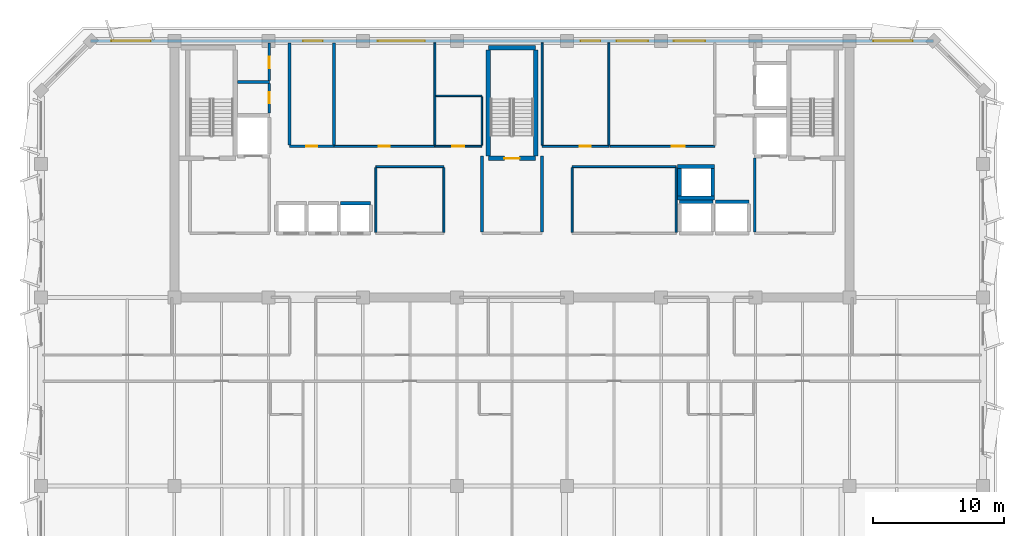
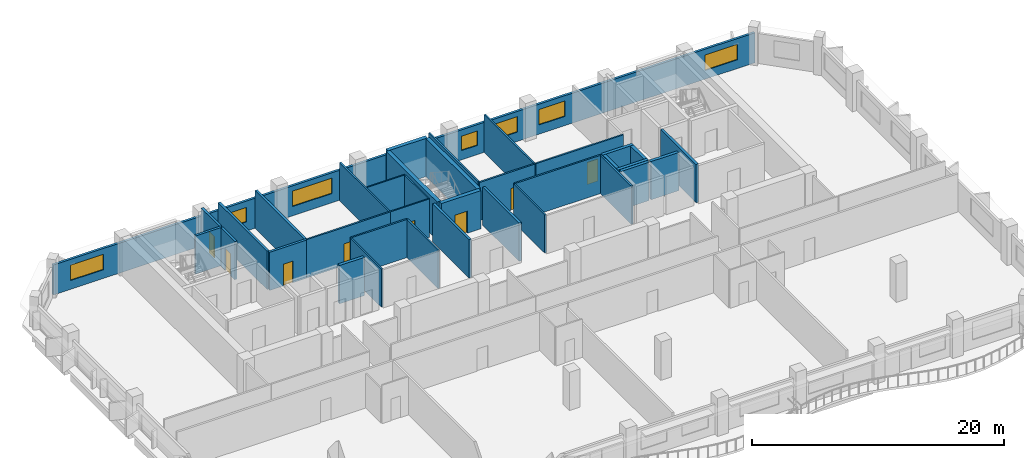
# One storey, part 6 of 11: 36 walls, 8 doors, 7 windows, 15 openings.
"""IFC4 building model written with IfcOpenShell, lengths in metres."""

from ifc_helpers import new_model, si_unit, direction, frame, frame_2d, origin, place, context, subcontext, project, spatial, rectangle, extrude, material, layer, layer_set, type_object, element, fill, save


model = new_model("IFC4")

# Units and contexts
model_context = context("Model", 3, precision=1e-05, world=origin(), true_north=direction((0.0, 1.0)))
body_context = subcontext(model_context, "Body", "Model", "MODEL_VIEW")
ifc_project = project(units=[si_unit("LENGTHUNIT", "METRE"), si_unit("AREAUNIT", "SQUARE_METRE"), si_unit("VOLUMEUNIT", "CUBIC_METRE"), si_unit("PLANEANGLEUNIT", "RADIAN"), si_unit("MASSUNIT", "GRAM", prefix="KILO")], contexts=[model_context])

# Site, building, storey
site_placement = place(None, origin())
site = spatial("IfcSite", under=ifc_project, at=site_placement, CompositionType="ELEMENT")
building_placement = place(site_placement, origin())
building = spatial("IfcBuilding", under=site, at=building_placement, Name="Kaelvorn Grand Hotel", CompositionType="ELEMENT")
storey_placement = place(building_placement, frame((0.0, 0.0, 268.64990234375)))
storey = spatial("IfcBuildingStorey", under=building, at=storey_placement, Name="L66", CompositionType="ELEMENT", Elevation=268.64990234375)

# Wall, openings, windows
ifc_material_1 = material(Name="Concrete C40/50", Category="concrete")
ifc_layer_1 = layer(ifc_material_1, 0.219970703125)
ifc_layer_set_1 = layer_set([ifc_layer_1], Name="Concrete C40/50")
wall_type_1 = type_object("IfcWallType", Name="WL-EXT-220-C40", PredefinedType="SOLIDWALL", material=ifc_layer_set_1)
wall_1_placement = place(storey_placement, frame((74.199951171875, 49.0, 0.0), z_axis=(0.0, 0.0, 1.0), x_axis=(-1.0, 0.0, 0.0)))
wall_1 = element("IfcWall", 1, at=wall_1_placement, inside=storey, type_object=wall_type_1, Name="L66 Exterior Architectural Concrete Wall 05", PredefinedType="SOLIDWALL", context=body_context, shape_type="SweptSolid", body=[
    extrude(rectangle(XDim=64.39990234375, YDim=0.219970703125, at=frame_2d((32.199951171875, 0.0))), origin(), (0.0, 0.0, 1.0), 2.91015625),
])
opening_1_placement = place(wall_1_placement, frame((59.81494140625, 0.0, 0.85009765625)))
opening_1 = element("IfcOpeningElement", 2, at=opening_1_placement, cuts=wall_1, Name="Opening W5", PredefinedType="OPENING", context=body_context, shape_type="SweptSolid", body=[
    extrude(rectangle(XDim=3.0, YDim=1.5, at=frame_2d((1.5, 0.75))), frame((0.0, 0.1201171875, 0.0), z_axis=(0.0, -1.0, 0.0), x_axis=(1.0, 0.0, 0.0)), (0.0, 0.0, 1.0), 0.239990234375),
])
opening_2_placement = place(wall_1_placement, frame((1.5849609375, 0.0, 0.85009765625)))
opening_2 = element("IfcOpeningElement", 3, at=opening_2_placement, cuts=wall_1, Name="Opening W5", PredefinedType="OPENING", context=body_context, shape_type="SweptSolid", body=[
    extrude(rectangle(XDim=3.0, YDim=1.5, at=frame_2d((1.5, 0.75))), frame((0.0, 0.1201171875, 0.0), z_axis=(0.0, -1.0, 0.0), x_axis=(1.0, 0.0, 0.0)), (0.0, 0.0, 1.0), 0.239990234375),
])
opening_3_placement = place(wall_1_placement, frame((46.6650390625, 0.0, 0.89990234375)))
opening_3 = element("IfcOpeningElement", 4, at=opening_3_placement, cuts=wall_1, Name="Opening W10", PredefinedType="OPENING", context=body_context, shape_type="SweptSolid", body=[
    extrude(rectangle(XDim=1.5, YDim=1.39990234375, at=frame_2d((0.75, 0.699951171875))), frame((0.0, 0.1201171875, 0.0), z_axis=(0.0, -1.0, 0.0), x_axis=(1.0, 0.0, 0.0)), (0.0, 0.0, 1.0), 0.239990234375),
])
opening_4_placement = place(wall_1_placement, frame((38.85009765625, 0.0, 0.89990234375)))
opening_4 = element("IfcOpeningElement", 5, at=opening_4_placement, cuts=wall_1, Name="Opening W3", PredefinedType="OPENING", context=body_context, shape_type="SweptSolid", body=[
    extrude(rectangle(XDim=3.60009765625, YDim=1.5, at=frame_2d((1.800048828125, 0.75))), frame((0.0, 0.1201171875, 0.0), z_axis=(0.0, -1.0, 0.0), x_axis=(1.0, 0.0, 0.0)), (0.0, 0.0, 1.0), 0.239990234375),
])
opening_5_placement = place(wall_1_placement, frame((25.449951171875, 0.0, 0.89990234375)))
opening_5 = element("IfcOpeningElement", 6, at=opening_5_placement, cuts=wall_1, Name="Opening W10", PredefinedType="OPENING", context=body_context, shape_type="SweptSolid", body=[
    extrude(rectangle(XDim=1.5, YDim=1.39990234375, at=frame_2d((0.75, 0.699951171875))), frame((0.0, 0.1201171875, 0.0), z_axis=(0.0, -1.0, 0.0), x_axis=(1.0, 0.0, 0.0)), (0.0, 0.0, 1.0), 0.239990234375),
])
opening_6_placement = place(wall_1_placement, frame((21.800048828125, 0.0, 0.89990234375)))
opening_6 = element("IfcOpeningElement", 7, at=opening_6_placement, cuts=wall_1, Name="Opening W6", PredefinedType="OPENING", context=body_context, shape_type="SweptSolid", body=[
    extrude(rectangle(XDim=2.39990234375, YDim=1.5, at=frame_2d((1.199951171875, 0.75))), frame((0.0, 0.1201171875, 0.0), z_axis=(0.0, -1.0, 0.0), x_axis=(1.0, 0.0, 0.0)), (0.0, 0.0, 1.0), 0.239990234375),
])
opening_7_placement = place(wall_1_placement, frame((17.43505859375, 0.0, 0.89990234375)))
opening_7 = element("IfcOpeningElement", 8, at=opening_7_placement, cuts=wall_1, Name="Opening W6", PredefinedType="OPENING", context=body_context, shape_type="SweptSolid", body=[
    extrude(rectangle(XDim=2.39990234375, YDim=1.5, at=frame_2d((1.199951171875, 0.75))), frame((0.0, 0.1201171875, 0.0), z_axis=(0.0, -1.0, 0.0), x_axis=(1.0, 0.0, 0.0)), (0.0, 0.0, 1.0), 0.239990234375),
])
ifc_material_2 = material(Name="Laminated Low-E Glass", Category="glass")
window_type_1 = type_object("IfcWindowType", Name="WIN-COR-1500x1400", PartitioningType="SINGLE_PANEL", PredefinedType="WINDOW", material=ifc_material_2)
window_1_placement = place(opening_3_placement, origin())
window_1 = element("IfcWindow", 9, at=window_1_placement, inside=storey, type_object=window_type_1, Name="L66 North Core Clerestory Ribbon Window NC03", OverallHeight=1.39990234375, OverallWidth=1.5, PartitioningType="SINGLE_PANEL", PredefinedType="WINDOW", context=body_context, shape_type="SweptSolid", body=[
    extrude(rectangle(XDim=1.5, YDim=1.39990234375, at=frame_2d((0.75, 0.699951171875))), frame((0.0, 0.030029296875, 0.0), z_axis=(0.0, -1.0, 0.0), x_axis=(1.0, 0.0, 0.0)), (0.0, 0.0, 1.0), 0.06005859375),
])
fill(opening_3, window_1)
window_2_placement = place(opening_5_placement, origin())
window_2 = element("IfcWindow", 10, at=window_2_placement, inside=storey, type_object=window_type_1, Name="L66 North Core Clerestory Ribbon Window NC05", OverallHeight=1.39990234375, OverallWidth=1.5, PartitioningType="SINGLE_PANEL", PredefinedType="WINDOW", context=body_context, shape_type="SweptSolid", body=[
    extrude(rectangle(XDim=1.5, YDim=1.39990234375, at=frame_2d((0.75, 0.699951171875))), frame((0.0, 0.030029296875, 0.0), z_axis=(0.0, -1.0, 0.0), x_axis=(1.0, 0.0, 0.0)), (0.0, 0.0, 1.0), 0.06005859375),
])
fill(opening_5, window_2)
window_type_2 = type_object("IfcWindowType", Name="WIN-NTH-2400x1500", PartitioningType="SINGLE_PANEL", PredefinedType="WINDOW", material=ifc_material_2)
window_3_placement = place(opening_6_placement, origin())
window_3 = element("IfcWindow", 11, at=window_3_placement, inside=storey, type_object=window_type_2, Name="L66 North Core Clerestory Ribbon Window NC06", OverallHeight=1.5, OverallWidth=2.39990234375, PartitioningType="SINGLE_PANEL", PredefinedType="WINDOW", context=body_context, shape_type="SweptSolid", body=[
    extrude(rectangle(XDim=2.39990234375, YDim=1.5, at=frame_2d((1.199951171875, 0.75))), frame((0.0, 0.030029296875, 0.0), z_axis=(0.0, -1.0, 0.0), x_axis=(1.0, 0.0, 0.0)), (0.0, 0.0, 1.0), 0.06005859375),
])
fill(opening_6, window_3)
window_4_placement = place(opening_7_placement, origin())
window_4 = element("IfcWindow", 12, at=window_4_placement, inside=storey, type_object=window_type_2, Name="L66 North Core Clerestory Ribbon Window NC07", OverallHeight=1.5, OverallWidth=2.39990234375, PartitioningType="SINGLE_PANEL", PredefinedType="WINDOW", context=body_context, shape_type="SweptSolid", body=[
    extrude(rectangle(XDim=2.39990234375, YDim=1.5, at=frame_2d((1.199951171875, 0.75))), frame((0.0, 0.030029296875, 0.0), z_axis=(0.0, -1.0, 0.0), x_axis=(1.0, 0.0, 0.0)), (0.0, 0.0, 1.0), 0.06005859375),
])
fill(opening_7, window_4)
window_type_3 = type_object("IfcWindowType", Name="WIN-NTH-3000x1500", PartitioningType="SINGLE_PANEL", PredefinedType="WINDOW", material=ifc_material_2)
window_5_placement = place(opening_1_placement, origin())
window_5 = element("IfcWindow", 13, at=window_5_placement, inside=storey, type_object=window_type_3, Name="L66 North Wing Ribbon Window NW01", OverallHeight=1.5, OverallWidth=3.0, PartitioningType="SINGLE_PANEL", PredefinedType="WINDOW", context=body_context, shape_type="SweptSolid", body=[
    extrude(rectangle(XDim=3.0, YDim=1.5, at=frame_2d((1.5, 0.75))), frame((0.0, 0.030029296875, 0.0), z_axis=(0.0, -1.0, 0.0), x_axis=(1.0, 0.0, 0.0)), (0.0, 0.0, 1.0), 0.06005859375),
])
fill(opening_1, window_5)
window_6_placement = place(opening_2_placement, origin())
window_6 = element("IfcWindow", 14, at=window_6_placement, inside=storey, type_object=window_type_3, Name="L66 North Wing Ribbon Window NW02", OverallHeight=1.5, OverallWidth=3.0, PartitioningType="SINGLE_PANEL", PredefinedType="WINDOW", context=body_context, shape_type="SweptSolid", body=[
    extrude(rectangle(XDim=3.0, YDim=1.5, at=frame_2d((1.5, 0.75))), frame((0.0, 0.030029296875, 0.0), z_axis=(0.0, -1.0, 0.0), x_axis=(1.0, 0.0, 0.0)), (0.0, 0.0, 1.0), 0.06005859375),
])
fill(opening_2, window_6)
window_type_4 = type_object("IfcWindowType", Name="WIN-RIB-3600x1750", PartitioningType="SINGLE_PANEL", PredefinedType="WINDOW", material=ifc_material_2)
window_7_placement = place(opening_4_placement, origin())
window_7 = element("IfcWindow", 15, at=window_7_placement, inside=storey, type_object=window_type_4, Name="L66 North Core Clerestory Ribbon Window NC04", OverallHeight=1.5, OverallWidth=3.60009765625, PartitioningType="SINGLE_PANEL", PredefinedType="WINDOW", context=body_context, shape_type="SweptSolid", body=[
    extrude(rectangle(XDim=3.60009765625, YDim=1.5, at=frame_2d((1.800048828125, 0.75))), frame((0.0, 0.030029296875, 0.0), z_axis=(0.0, -1.0, 0.0), x_axis=(1.0, 0.0, 0.0)), (0.0, 0.0, 1.0), 0.06005859375),
])
fill(opening_4, window_7)

# Wall, opening, door
ifc_material_3 = material(Name="Moisture-Resistant Tile & Stud Board")
ifc_layer_2 = layer(ifc_material_3, 0.125)
ifc_layer_set_2 = layer_set([ifc_layer_2], Name="Moisture-Resistant Tile & Stud Board")
wall_type_2 = type_object("IfcWallType", Name="WL-PART-125-WET", PredefinedType="PARTITIONING", material=ifc_layer_set_2)
wall_2_placement = place(storey_placement, frame((36.110107421875, 40.949951171875, 0.0), z_axis=(0.0, 0.0, 1.0), x_axis=(1.0, 0.0, 0.0)))
wall_2 = element("IfcWall", 16, at=wall_2_placement, inside=storey, type_object=wall_type_2, Name="L66 Accessible WC S Partition", PredefinedType="PARTITIONING", context=body_context, shape_type="SweptSolid", body=[
    extrude(rectangle(XDim=3.58984375, YDim=0.125, at=frame_2d((1.794921875, 0.0))), origin(), (0.0, 0.0, 1.0), 3.710205078125),
])
opening_8_placement = place(wall_2_placement, frame((1.340087890625, 0.0, 0.0)))
opening_8 = element("IfcOpeningElement", 17, at=opening_8_placement, cuts=wall_2, Name="Opening DI4", PredefinedType="OPENING", context=body_context, shape_type="SweptSolid", body=[
    extrude(rectangle(XDim=0.89990234375, YDim=2.10009765625, at=frame_2d((0.449951171875, 1.050048828125))), frame((0.0, 0.072509765625, 0.0), z_axis=(0.0, -1.0, 0.0), x_axis=(1.0, 0.0, 0.0)), (0.0, 0.0, 1.0), 0.14501953125),
])
ifc_material_4 = material(Name="Timber Veneer Leaf", Category="wood")
door_type_1 = type_object("IfcDoorType", Name="DR-INT-BATH-900x2100", OperationType="NOTDEFINED", PredefinedType="DOOR", material=ifc_material_4)
door_1_placement = place(opening_8_placement, origin())
door_1 = element("IfcDoor", 18, at=door_1_placement, inside=storey, type_object=door_type_1, Name="L66 Accessible WC Door", OperationType="SINGLE_SWING_LEFT", OverallHeight=2.10009765625, OverallWidth=0.89990234375, PredefinedType="DOOR", context=body_context, shape_type="SweptSolid", body=[
    extrude(rectangle(XDim=0.89990234375, YDim=2.10009765625, at=frame_2d((0.449951171875, 1.050048828125))), frame((0.0, 0.02490234375, 0.0), z_axis=(0.0, -1.0, 0.0), x_axis=(1.0, 0.0, 0.0)), (0.0, 0.0, 1.0), 0.050048828125),
])
fill(opening_8, door_1)

# Walls
wall_3_placement = place(storey_placement, frame((36.179931640625, 44.800048828125, 0.0), z_axis=(0.0, 0.0, 1.0), x_axis=(1.0, 0.0, 0.0)))
element("IfcWall", 19, at=wall_3_placement, inside=storey, type_object=wall_type_2, Name="L66 Accessible WC N Partition", PredefinedType="PARTITIONING", context=body_context, shape_type="SweptSolid", body=[
    extrude(rectangle(XDim=3.52001953125, YDim=0.125, at=frame_2d((1.760009765625, 0.0))), origin(), (0.0, 0.0, 1.0), 3.710205078125),
])
wall_4_placement = place(storey_placement, frame((39.699951171875, 41.017578125, 0.0), z_axis=(0.0, 0.0, 1.0), x_axis=(0.0, 1.0, 0.0)))
element("IfcWall", 20, at=wall_4_placement, inside=storey, type_object=wall_type_2, Name="L66 Accessible WC E Partition", PredefinedType="PARTITIONING", context=body_context, shape_type="SweptSolid", body=[
    extrude(rectangle(XDim=3.71484375, YDim=0.125, at=frame_2d((1.857421875, 0.0))), origin(), (0.0, 0.0, 1.0), 3.710205078125),
])
ifc_material_5 = material(Name="Acoustic Gypsum & Stud Partition")
ifc_layer_3 = layer(ifc_material_5, 0.14990234375)
ifc_layer_set_3 = layer_set([ifc_layer_3], Name="Acoustic Gypsum & Stud Partition")
wall_type_3 = type_object("IfcWallType", Name="WL-PART-150-EI60", PredefinedType="PARTITIONING", material=ifc_layer_set_3)
wall_5_placement = place(storey_placement, frame((31.60009765625, 39.39990234375, 0.0), z_axis=(0.0, 0.0, 1.0), x_axis=(1.0, 0.0, 0.0)))
element("IfcWall", 21, at=wall_5_placement, inside=storey, type_object=wall_type_3, Name="L66 Core Telecoms & BMS Server Room N Partition", PredefinedType="PARTITIONING", context=body_context, shape_type="SweptSolid", body=[
    extrude(rectangle(XDim=5.199951171875, YDim=0.14990234375, at=frame_2d((2.60009765625, 0.0))), origin(), (0.0, 0.0, 1.0), 3.710205078125),
])
for number, where, z_axis, x_axis, name in (
    (22, (31.60009765625, 34.3798828125, 0.0), (0.0, 0.0, 1.0), (0.0, 1.0, 0.0), "L66 Core Telecoms & BMS Server Room W Partition"),
    (23, (36.800048828125, 34.3798828125, 0.0), (0.0, 0.0, 1.0), (0.0, 1.0, 0.0), "L66 Core Telecoms & BMS Server Room E Partition"),
):
    element("IfcWall", number, at=place(storey_placement, frame(where, z_axis=z_axis, x_axis=x_axis)), inside=storey, type_object=wall_type_3, Name=name, PredefinedType="PARTITIONING", context=body_context, shape_type="SweptSolid", body=[
        extrude(rectangle(XDim=4.940185546875, YDim=0.14990234375, at=frame_2d((2.47021484375, 0.0))), origin(), (0.0, 0.0, 1.0), 3.710205078125),
    ])
wall_6_placement = place(storey_placement, frame((46.60009765625, 39.39990234375, 0.0), z_axis=(0.0, 0.0, 1.0), x_axis=(1.0, 0.0, 0.0)))
element("IfcWall", 24, at=wall_6_placement, inside=storey, type_object=wall_type_3, Name="L66 Sky Concierge & Butler Pantry Lounge N Partition", PredefinedType="PARTITIONING", context=body_context, shape_type="SweptSolid", body=[
    extrude(rectangle(XDim=7.949951171875, YDim=0.14990234375, at=frame_2d((3.97509765625, 0.0))), origin(), (0.0, 0.0, 1.0), 3.710205078125),
])
for number, where, z_axis, x_axis, name in (
    (25, (46.60009765625, 34.3798828125, 0.0), (0.0, 0.0, 1.0), (0.0, 1.0, 0.0), "L66 Sky Concierge & Butler Pantry Lounge W Partition"),
    (26, (54.550048828125, 34.3798828125, 0.0), (0.0, 0.0, 1.0), (0.0, 1.0, 0.0), "L66 Sky Concierge & Butler Pantry Lounge E Partition"),
):
    element("IfcWall", number, at=place(storey_placement, frame(where, z_axis=z_axis, x_axis=x_axis)), inside=storey, type_object=wall_type_3, Name=name, PredefinedType="PARTITIONING", context=body_context, shape_type="SweptSolid", body=[
        extrude(rectangle(XDim=4.940185546875, YDim=0.14990234375, at=frame_2d((2.47021484375, 0.0))), origin(), (0.0, 0.0, 1.0), 3.710205078125),
    ])

# Wall, opening, door
wall_7_placement = place(storey_placement, frame((28.409912109375, 40.949951171875, 0.0), z_axis=(0.0, 0.0, 1.0), x_axis=(1.0, 0.0, 0.0)))
wall_7 = element("IfcWall", 27, at=wall_7_placement, inside=storey, type_object=wall_type_3, Name="L66 Housekeeping & Linen Room S Partition", PredefinedType="PARTITIONING", context=body_context, shape_type="SweptSolid", body=[
    extrude(rectangle(XDim=7.690185546875, YDim=0.14990234375, at=frame_2d((3.84521484375, 0.0))), origin(), (0.0, 0.0, 1.0), 3.710205078125),
])
opening_9_placement = place(wall_7_placement, frame((3.4150390625, 0.0, 0.0)))
opening_9 = element("IfcOpeningElement", 28, at=opening_9_placement, cuts=wall_7, Name="Opening DI7", PredefinedType="OPENING", context=body_context, shape_type="SweptSolid", body=[
    extrude(rectangle(XDim=0.85009765625, YDim=2.10009765625, at=frame_2d((0.425048828125, 1.050048828125))), frame((0.0, 0.0849609375, 0.0), z_axis=(0.0, -1.0, 0.0), x_axis=(1.0, 0.0, 0.0)), (0.0, 0.0, 1.0), 0.169921875),
])
ifc_material_6 = material(Name="Powder-Coated Steel Leaf", Category="steel")
door_type_2 = type_object("IfcDoorType", Name="DR-INT-RISER-850x2100", OperationType="NOTDEFINED", PredefinedType="DOOR", material=ifc_material_6)
door_2_placement = place(opening_9_placement, origin())
door_2 = element("IfcDoor", 29, at=door_2_placement, inside=storey, type_object=door_type_2, Name="L66 Housekeeping & Linen Room Door", OperationType="SINGLE_SWING_RIGHT", OverallHeight=2.10009765625, OverallWidth=0.85009765625, PredefinedType="DOOR", context=body_context, shape_type="SweptSolid", body=[
    extrude(rectangle(XDim=0.85009765625, YDim=2.10009765625, at=frame_2d((0.425048828125, 1.050048828125))), frame((0.0, 0.02490234375, 0.0), z_axis=(0.0, -1.0, 0.0), x_axis=(1.0, 0.0, 0.0)), (0.0, 0.0, 1.0), 0.050048828125),
])
fill(opening_9, door_2)

# Wall
wall_8_placement = place(storey_placement, frame((36.10009765625, 41.030029296875, 0.0), z_axis=(0.0, 0.0, 1.0), x_axis=(0.0, 1.0, 0.0)))
element("IfcWall", 30, at=wall_8_placement, inside=storey, type_object=wall_type_3, Name="L66 Housekeeping & Linen Room E Partition", PredefinedType="PARTITIONING", context=body_context, shape_type="SweptSolid", body=[
    extrude(rectangle(XDim=7.820068359375, YDim=0.14990234375, at=frame_2d((3.91015625, 0.0))), origin(), (0.0, 0.0, 1.0), 3.710205078125),
])

# Wall, opening, door
wall_9_placement = place(storey_placement, frame((44.300048828125, 40.949951171875, 0.0), z_axis=(0.0, 0.0, 1.0), x_axis=(1.0, 0.0, 0.0)))
wall_9 = element("IfcWall", 31, at=wall_9_placement, inside=storey, type_object=wall_type_3, Name="L66 Laundry Chute Vestibule S Partition", PredefinedType="PARTITIONING", context=body_context, shape_type="SweptSolid", body=[
    extrude(rectangle(XDim=5.099853515625, YDim=0.14990234375, at=frame_2d((2.5498046875, 0.0))), origin(), (0.0, 0.0, 1.0), 3.710205078125),
])
opening_10_placement = place(wall_9_placement, frame((2.875, 0.0, 0.0)))
opening_10 = element("IfcOpeningElement", 32, at=opening_10_placement, cuts=wall_9, Name="Opening DI7", PredefinedType="OPENING", context=body_context, shape_type="SweptSolid", body=[
    extrude(rectangle(XDim=0.85009765625, YDim=2.10009765625, at=frame_2d((0.425048828125, 1.050048828125))), frame((0.0, 0.0849609375, 0.0), z_axis=(0.0, -1.0, 0.0), x_axis=(1.0, 0.0, 0.0)), (0.0, 0.0, 1.0), 0.169921875),
])
door_3_placement = place(opening_10_placement, origin())
door_3 = element("IfcDoor", 33, at=door_3_placement, inside=storey, type_object=door_type_2, Name="L66 Laundry Chute Vestibule Door", OperationType="SINGLE_SWING_RIGHT", OverallHeight=2.10009765625, OverallWidth=0.85009765625, PredefinedType="DOOR", context=body_context, shape_type="SweptSolid", body=[
    extrude(rectangle(XDim=0.85009765625, YDim=2.10009765625, at=frame_2d((0.425048828125, 1.050048828125))), frame((0.0, 0.02490234375, 0.0), z_axis=(0.0, -1.0, 0.0), x_axis=(1.0, 0.0, 0.0)), (0.0, 0.0, 1.0), 0.050048828125),
])
fill(opening_10, door_3)

# Walls
for number, where, z_axis, x_axis, name in (
    (34, (44.300048828125, 41.030029296875, 0.0), (0.0, 0.0, 1.0), (0.0, 1.0, 0.0), "L66 Laundry Chute Vestibule W Partition"),
    (35, (49.39990234375, 41.030029296875, 0.0), (0.0, 0.0, 1.0), (0.0, 1.0, 0.0), "L66 Laundry Chute Vestibule E Partition"),
):
    element("IfcWall", number, at=place(storey_placement, frame(where, z_axis=z_axis, x_axis=x_axis)), inside=storey, type_object=wall_type_3, Name=name, PredefinedType="PARTITIONING", context=body_context, shape_type="SweptSolid", body=[
        extrude(rectangle(XDim=7.820068359375, YDim=0.14990234375, at=frame_2d((3.91015625, 0.0))), origin(), (0.0, 0.0, 1.0), 3.710205078125),
    ])

# Wall, opening, door
wall_10_placement = place(storey_placement, frame((49.47998046875, 40.949951171875, 0.0), z_axis=(0.0, 0.0, 1.0), x_axis=(1.0, 0.0, 0.0)))
wall_10 = element("IfcWall", 36, at=wall_10_placement, inside=storey, type_object=wall_type_3, Name="L66 Butler Servery Pantry S Partition", PredefinedType="PARTITIONING", context=body_context, shape_type="SweptSolid", body=[
    extrude(rectangle(XDim=8.02001953125, YDim=0.14990234375, at=frame_2d((4.010009765625, 0.0))), origin(), (0.0, 0.0, 1.0), 3.710205078125),
])
opening_11_placement = place(wall_10_placement, frame((4.719970703125, 0.0, 0.0)))
opening_11 = element("IfcOpeningElement", 37, at=opening_11_placement, cuts=wall_10, Name="Opening DI3", PredefinedType="OPENING", context=body_context, shape_type="SweptSolid", body=[
    extrude(rectangle(XDim=1.0, YDim=2.14990234375, at=frame_2d((0.5, 1.074951171875))), frame((0.0, 0.0849609375, 0.0), z_axis=(0.0, -1.0, 0.0), x_axis=(1.0, 0.0, 0.0)), (0.0, 0.0, 1.0), 0.169921875),
])
ifc_material_7 = material(Name="Timber Veneer Fire Leaf", Category="wood")
door_type_3 = type_object("IfcDoorType", Name="DR-INT-GUEST-1000x2150", OperationType="NOTDEFINED", PredefinedType="DOOR", material=ifc_material_7)
door_4_placement = place(opening_11_placement, origin())
door_4 = element("IfcDoor", 38, at=door_4_placement, inside=storey, type_object=door_type_3, Name="L66 Butler Servery Pantry Door", OperationType="SINGLE_SWING_LEFT", OverallHeight=2.14990234375, OverallWidth=1.0, PredefinedType="DOOR", context=body_context, shape_type="SweptSolid", body=[
    extrude(rectangle(XDim=1.0, YDim=2.14990234375, at=frame_2d((0.5, 1.074951171875))), frame((0.0, 0.02490234375, 0.0), z_axis=(0.0, -1.0, 0.0), x_axis=(1.0, 0.0, 0.0)), (0.0, 0.0, 1.0), 0.050048828125),
])
fill(opening_11, door_4)

# Walls
ifc_layer_4 = layer(ifc_material_1, 0.219970703125)
ifc_layer_set_4 = layer_set([ifc_layer_4], Name="Concrete C40/50")
wall_type_4 = type_object("IfcWallType", Name="WL-PART-220-EI120", PredefinedType="PARTITIONING", material=ifc_layer_set_4)
wall_11_placement = place(storey_placement, frame((60.550048828125, 34.4150390625, 0.0), z_axis=(0.0, 0.0, 1.0), x_axis=(0.0, 1.0, 0.0)))
element("IfcWall", 39, at=wall_11_placement, inside=storey, type_object=wall_type_4, Name="L66 Firefighting Lift Lobby 2 W Partition", PredefinedType="PARTITIONING", context=body_context, shape_type="SweptSolid", body=[
    extrude(rectangle(XDim=5.639892578125, YDim=0.219970703125, at=frame_2d((2.81982421875, 0.0))), origin(), (0.0, 0.0, 1.0), 3.710205078125),
])
for number, where, z_axis, x_axis, name in (
    (40, (39.699951171875, 34.4150390625, 0.0), (0.0, 0.0, 1.0), (0.0, 1.0, 0.0), "L66 Central Stair Escape Vestibule W Partition"),
    (41, (44.300048828125, 34.4150390625, 0.0), (0.0, 0.0, 1.0), (0.0, 1.0, 0.0), "L66 Central Stair Escape Vestibule E Partition"),
):
    element("IfcWall", number, at=place(storey_placement, frame(where, z_axis=z_axis, x_axis=x_axis)), inside=storey, type_object=wall_type_4, Name=name, PredefinedType="PARTITIONING", context=body_context, shape_type="SweptSolid", body=[
        extrude(rectangle(XDim=5.784912109375, YDim=0.219970703125, at=frame_2d((2.892578125, 0.0))), origin(), (0.0, 0.0, 1.0), 3.710205078125),
    ])
wall_12_placement = place(storey_placement, frame((21.034912109375, 45.85009765625, 0.0), z_axis=(0.0, 0.0, 1.0), x_axis=(1.0, 0.0, 0.0)))
element("IfcWall", 42, at=wall_12_placement, inside=storey, type_object=wall_type_4, Name="L66 Wet Fire & Plumbing Riser Shaft N Partition", PredefinedType="PARTITIONING", context=body_context, shape_type="SweptSolid", body=[
    extrude(rectangle(XDim=2.4150390625, YDim=0.219970703125, at=frame_2d((1.20751953125, 0.0))), origin(), (0.0, 0.0, 1.0), 3.710205078125),
])

# Wall, opening, door
wall_13_placement = place(storey_placement, frame((23.449951171875, 43.5, 0.0), z_axis=(0.0, 0.0, 1.0), x_axis=(0.0, 1.0, 0.0)))
wall_13 = element("IfcWall", 43, at=wall_13_placement, inside=storey, type_object=wall_type_4, Name="L66 Wet Fire & Plumbing Riser Shaft E Partition", PredefinedType="PARTITIONING", context=body_context, shape_type="SweptSolid", body=[
    extrude(rectangle(XDim=2.235107421875, YDim=0.219970703125, at=frame_2d((1.11767578125, 0.0))), origin(), (0.0, 0.0, 1.0), 3.710205078125),
])
opening_12_placement = place(wall_13_placement, frame((0.72509765625, 0.0, 0.0)))
opening_12 = element("IfcOpeningElement", 44, at=opening_12_placement, cuts=wall_13, Name="Opening DI7", PredefinedType="OPENING", context=body_context, shape_type="SweptSolid", body=[
    extrude(rectangle(XDim=0.85009765625, YDim=2.10009765625, at=frame_2d((0.425048828125, 1.050048828125))), frame((0.0, 0.1201171875, 0.0), z_axis=(0.0, -1.0, 0.0), x_axis=(1.0, 0.0, 0.0)), (0.0, 0.0, 1.0), 0.239990234375),
])
door_5_placement = place(opening_12_placement, origin())
door_5 = element("IfcDoor", 45, at=door_5_placement, inside=storey, type_object=door_type_2, Name="L66 Wet Fire & Plumbing Riser Shaft Door", OperationType="SINGLE_SWING_LEFT", OverallHeight=2.10009765625, OverallWidth=0.85009765625, PredefinedType="DOOR", context=body_context, shape_type="SweptSolid", body=[
    extrude(rectangle(XDim=0.85009765625, YDim=2.10009765625, at=frame_2d((0.425048828125, 1.050048828125))), frame((0.0, 0.02490234375, 0.0), z_axis=(0.0, -1.0, 0.0), x_axis=(1.0, 0.0, 0.0)), (0.0, 0.0, 1.0), 0.050048828125),
])
fill(opening_12, door_5)

wall_14_placement = place(storey_placement, frame((23.449951171875, 45.965087890625, 0.0), z_axis=(0.0, 0.0, 1.0), x_axis=(0.0, 1.0, 0.0)))
wall_14 = element("IfcWall", 46, at=wall_14_placement, inside=storey, type_object=wall_type_4, Name="L66 HV Electrical & Smoke Riser E Partition", PredefinedType="PARTITIONING", context=body_context, shape_type="SweptSolid", body=[
    extrude(rectangle(XDim=2.885009765625, YDim=0.219970703125, at=frame_2d((1.4423828125, 0.0))), origin(), (0.0, 0.0, 1.0), 3.710205078125),
])
opening_13_placement = place(wall_14_placement, frame((0.9599609375, 0.0, 0.0)))
opening_13 = element("IfcOpeningElement", 47, at=opening_13_placement, cuts=wall_14, Name="Opening DI7", PredefinedType="OPENING", context=body_context, shape_type="SweptSolid", body=[
    extrude(rectangle(XDim=0.85009765625, YDim=2.10009765625, at=frame_2d((0.425048828125, 1.050048828125))), frame((0.0, 0.1201171875, 0.0), z_axis=(0.0, -1.0, 0.0), x_axis=(1.0, 0.0, 0.0)), (0.0, 0.0, 1.0), 0.239990234375),
])
door_6_placement = place(opening_13_placement, origin())
door_6 = element("IfcDoor", 48, at=door_6_placement, inside=storey, type_object=door_type_2, Name="L66 HV Electrical & Smoke Riser Door", OperationType="SINGLE_SWING_RIGHT", OverallHeight=2.10009765625, OverallWidth=0.85009765625, PredefinedType="DOOR", context=body_context, shape_type="SweptSolid", body=[
    extrude(rectangle(XDim=0.85009765625, YDim=2.10009765625, at=frame_2d((0.425048828125, 1.050048828125))), frame((0.0, 0.02490234375, 0.0), z_axis=(0.0, -1.0, 0.0), x_axis=(1.0, 0.0, 0.0)), (0.0, 0.0, 1.0), 0.050048828125),
])
fill(opening_13, door_6)

wall_15_placement = place(storey_placement, frame((25.0, 40.949951171875, 0.0), z_axis=(0.0, 0.0, 1.0), x_axis=(1.0, 0.0, 0.0)))
wall_15 = element("IfcWall", 49, at=wall_15_placement, inside=storey, type_object=wall_type_4, Name="L66 Electrical Distribution Room S Partition", PredefinedType="PARTITIONING", context=body_context, shape_type="SweptSolid", body=[
    extrude(rectangle(XDim=3.39990234375, YDim=0.219970703125, at=frame_2d((1.699951171875, 0.0))), origin(), (0.0, 0.0, 1.0), 3.710205078125),
])
opening_14_placement = place(wall_15_placement, frame((1.27490234375, 0.0, 0.0)))
opening_14 = element("IfcOpeningElement", 50, at=opening_14_placement, cuts=wall_15, Name="Opening DI7", PredefinedType="OPENING", context=body_context, shape_type="SweptSolid", body=[
    extrude(rectangle(XDim=0.85009765625, YDim=2.10009765625, at=frame_2d((0.425048828125, 1.050048828125))), frame((0.0, 0.1201171875, 0.0), z_axis=(0.0, -1.0, 0.0), x_axis=(1.0, 0.0, 0.0)), (0.0, 0.0, 1.0), 0.239990234375),
])
door_7_placement = place(opening_14_placement, origin())
door_7 = element("IfcDoor", 51, at=door_7_placement, inside=storey, type_object=door_type_2, Name="L66 Electrical Distribution Room Door", OperationType="SINGLE_SWING_LEFT", OverallHeight=2.10009765625, OverallWidth=0.85009765625, PredefinedType="DOOR", context=body_context, shape_type="SweptSolid", body=[
    extrude(rectangle(XDim=0.85009765625, YDim=2.10009765625, at=frame_2d((0.425048828125, 1.050048828125))), frame((0.0, 0.02490234375, 0.0), z_axis=(0.0, -1.0, 0.0), x_axis=(1.0, 0.0, 0.0)), (0.0, 0.0, 1.0), 0.050048828125),
])
fill(opening_14, door_7)

# Walls
for number, where, z_axis, x_axis, name in (
    (52, (25.0, 41.06494140625, 0.0), (0.0, 0.0, 1.0), (0.0, 1.0, 0.0), "L66 Electrical Distribution Room W Partition"),
    (53, (28.39990234375, 41.06494140625, 0.0), (0.0, 0.0, 1.0), (0.0, 1.0, 0.0), "L66 Electrical Distribution Room E Partition"),
):
    element("IfcWall", number, at=place(storey_placement, frame(where, z_axis=z_axis, x_axis=x_axis)), inside=storey, type_object=wall_type_4, Name=name, PredefinedType="PARTITIONING", context=body_context, shape_type="SweptSolid", body=[
        extrude(rectangle(XDim=7.78515625, YDim=0.219970703125, at=frame_2d((3.892578125, 0.0))), origin(), (0.0, 0.0, 1.0), 3.710205078125),
    ])
ifc_material_8 = material(Name="Concrete C50/60", Category="concrete")
ifc_layer_5 = layer(ifc_material_8, 0.280029296875)
ifc_layer_set_5 = layer_set([ifc_layer_5], Name="Concrete C50/60")
wall_type_5 = type_object("IfcWallType", Name="WL-SHAFT-280-C50", PredefinedType="SHEAR", material=ifc_layer_set_5)
wall_16_placement = place(storey_placement, frame((28.89990234375, 36.60009765625, 0.0), z_axis=(0.0, 0.0, 1.0), x_axis=(1.0, 0.0, 0.0)))
element("IfcWall", 54, at=wall_16_placement, inside=storey, type_object=wall_type_5, Name="L66 Lift PL-H3 Shaft North Wall", PredefinedType="SHEAR", context=body_context, shape_type="SweptSolid", body=[
    extrude(rectangle(XDim=2.300048828125, YDim=0.280029296875, at=frame_2d((1.14990234375, 0.0))), origin(), (0.0, 0.0, 1.0), 3.710205078125),
])
for number, where, z_axis, x_axis, name in (
    (55, (54.800048828125, 36.699951171875, 0.0), (0.0, 0.0, 1.0), (1.0, 0.0, 0.0), "L66 Lift OL-1 Shaft North Wall"),
    (56, (57.550048828125, 36.699951171875, 0.0), (0.0, 0.0, 1.0), (1.0, 0.0, 0.0), "L66 Lift OL-2 Shaft North Wall"),
):
    element("IfcWall", number, at=place(storey_placement, frame(where, z_axis=z_axis, x_axis=x_axis)), inside=storey, type_object=wall_type_5, Name=name, PredefinedType="SHEAR", context=body_context, shape_type="SweptSolid", body=[
        extrude(rectangle(XDim=2.550048828125, YDim=0.280029296875, at=frame_2d((1.27490234375, 0.0))), origin(), (0.0, 0.0, 1.0), 3.710205078125),
    ])
for number, where, z_axis, x_axis, name in (
    (57, (54.659912109375, 37.0, 0.0), (0.0, 0.0, 1.0), (1.0, 0.0, 0.0), "L66 Lift OL-3 Shaft South Wall"),
    (58, (54.659912109375, 39.39990234375, 0.0), (0.0, 0.0, 1.0), (1.0, 0.0, 0.0), "L66 Lift OL-3 Shaft North Wall"),
):
    element("IfcWall", number, at=place(storey_placement, frame(where, z_axis=z_axis, x_axis=x_axis)), inside=storey, type_object=wall_type_5, Name=name, PredefinedType="SHEAR", context=body_context, shape_type="SweptSolid", body=[
        extrude(rectangle(XDim=2.830078125, YDim=0.280029296875, at=frame_2d((1.4150390625, 0.0))), origin(), (0.0, 0.0, 1.0), 3.710205078125),
    ])
for number, where, z_axis, x_axis, name in (
    (59, (54.800048828125, 37.14501953125, 0.0), (0.0, 0.0, 1.0), (0.0, 1.0, 0.0), "L66 Lift OL-3 Shaft West Wall"),
    (60, (57.35009765625, 37.14501953125, 0.0), (0.0, 0.0, 1.0), (0.0, 1.0, 0.0), "L66 Lift OL-3 Shaft East Wall"),
):
    element("IfcWall", number, at=place(storey_placement, frame(where, z_axis=z_axis, x_axis=x_axis)), inside=storey, type_object=wall_type_5, Name=name, PredefinedType="SHEAR", context=body_context, shape_type="SweptSolid", body=[
        extrude(rectangle(XDim=2.10986328125, YDim=0.280029296875, at=frame_2d((1.054931640625, 0.0))), origin(), (0.0, 0.0, 1.0), 3.710205078125),
    ])

# Wall, opening, door
ifc_material_9 = material(Name="Concrete C60/75", Category="concrete")
ifc_layer_6 = layer(ifc_material_9, 0.35009765625)
ifc_layer_set_6 = layer_set([ifc_layer_6], Name="Concrete C60/75")
wall_type_6 = type_object("IfcWallType", Name="WL-SHAFT-350-C60", PredefinedType="SHEAR", material=ifc_layer_set_6)
wall_17_placement = place(storey_placement, frame((40.18505859375, 40.02490234375, 0.0), z_axis=(0.0, 0.0, 1.0), x_axis=(1.0, 0.0, 0.0)))
wall_17 = element("IfcWall", 61, at=wall_17_placement, inside=storey, type_object=wall_type_6, Name="L66 ST2 Stair Shaft South Wall", PredefinedType="SHEAR", context=body_context, shape_type="SweptSolid", body=[
    extrude(rectangle(XDim=3.6298828125, YDim=0.35009765625, at=frame_2d((1.81494140625, 0.0))), origin(), (0.0, 0.0, 1.0), 3.710205078125),
])
opening_15_placement = place(wall_17_placement, frame((1.239990234375, 0.0, 0.0)))
opening_15 = element("IfcOpeningElement", 62, at=opening_15_placement, cuts=wall_17, Name="Opening DI1", PredefinedType="OPENING", context=body_context, shape_type="SweptSolid", body=[
    extrude(rectangle(XDim=1.14990234375, YDim=2.14990234375, at=frame_2d((0.574951171875, 1.074951171875))), frame((0.0, 0.18505859375, 0.0), z_axis=(0.0, -1.0, 0.0), x_axis=(1.0, 0.0, 0.0)), (0.0, 0.0, 1.0), 0.3701171875),
])
door_type_4 = type_object("IfcDoorType", Name="DR-INT-STAIR-1150x2150", OperationType="NOTDEFINED", PredefinedType="DOOR", material=ifc_material_7)
door_8_placement = place(opening_15_placement, origin())
door_8 = element("IfcDoor", 63, at=door_8_placement, inside=storey, type_object=door_type_4, Name="L66 ST2 Exit Stair Fire Door", OperationType="SINGLE_SWING_LEFT", OverallHeight=2.14990234375, OverallWidth=1.14990234375, PredefinedType="DOOR", context=body_context, shape_type="SweptSolid", body=[
    extrude(rectangle(XDim=1.14990234375, YDim=2.14990234375, at=frame_2d((0.574951171875, 1.074951171875))), frame((0.0, 0.02490234375, 0.0), z_axis=(0.0, -1.0, 0.0), x_axis=(1.0, 0.0, 0.0)), (0.0, 0.0, 1.0), 0.050048828125),
])
fill(opening_15, door_8)

# Walls
wall_18_placement = place(storey_placement, frame((40.18505859375, 48.47509765625, 0.0), z_axis=(0.0, 0.0, 1.0), x_axis=(1.0, 0.0, 0.0)))
element("IfcWall", 64, at=wall_18_placement, inside=storey, type_object=wall_type_6, Name="L66 ST2 Stair Shaft North Wall", PredefinedType="SHEAR", context=body_context, shape_type="SweptSolid", body=[
    extrude(rectangle(XDim=3.6298828125, YDim=0.35009765625, at=frame_2d((1.81494140625, 0.0))), origin(), (0.0, 0.0, 1.0), 3.710205078125),
])
for number, where, z_axis, x_axis, name in (
    (65, (40.18505859375, 40.205078125, 0.0), (0.0, 0.0, 1.0), (0.0, 1.0, 0.0), "L66 ST2 Stair Shaft West Wall"),
    (66, (43.81494140625, 40.205078125, 0.0), (0.0, 0.0, 1.0), (0.0, 1.0, 0.0), "L66 ST2 Stair Shaft East Wall"),
):
    element("IfcWall", number, at=place(storey_placement, frame(where, z_axis=z_axis, x_axis=x_axis)), inside=storey, type_object=wall_type_6, Name=name, PredefinedType="SHEAR", context=body_context, shape_type="SweptSolid", body=[
        extrude(rectangle(XDim=8.08984375, YDim=0.35009765625, at=frame_2d((4.044921875, 0.0))), origin(), (0.0, 0.0, 1.0), 3.710205078125),
    ])

save(model, "model.ifc")
